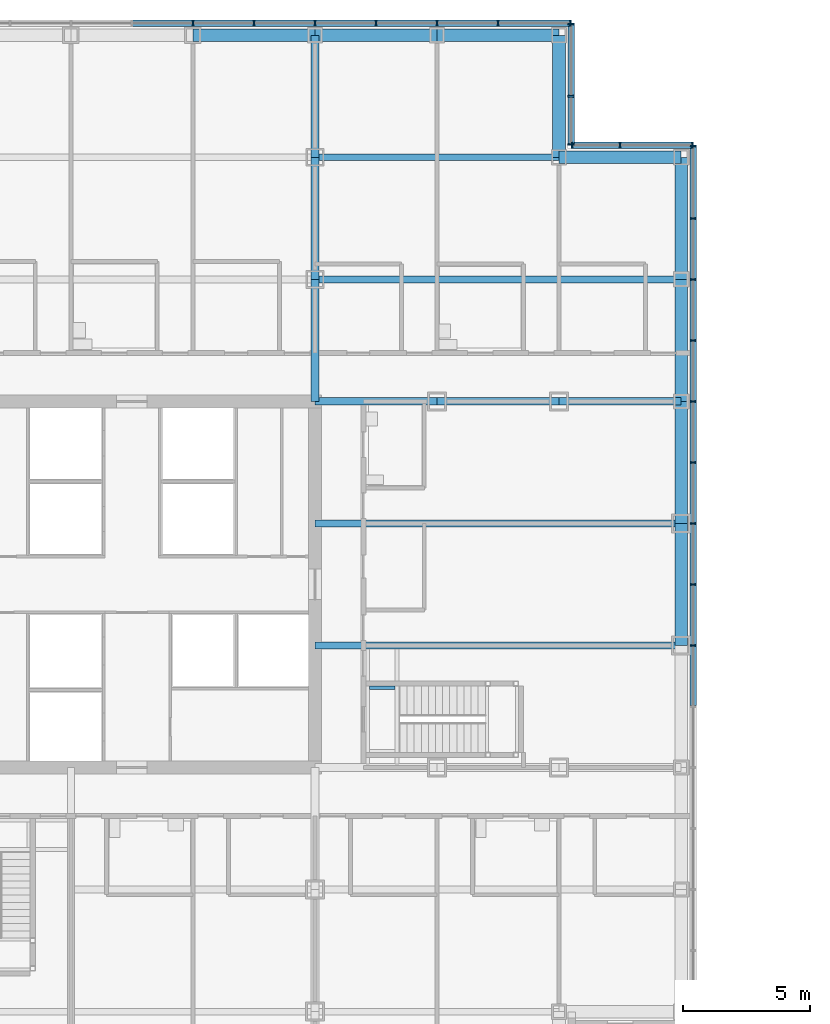
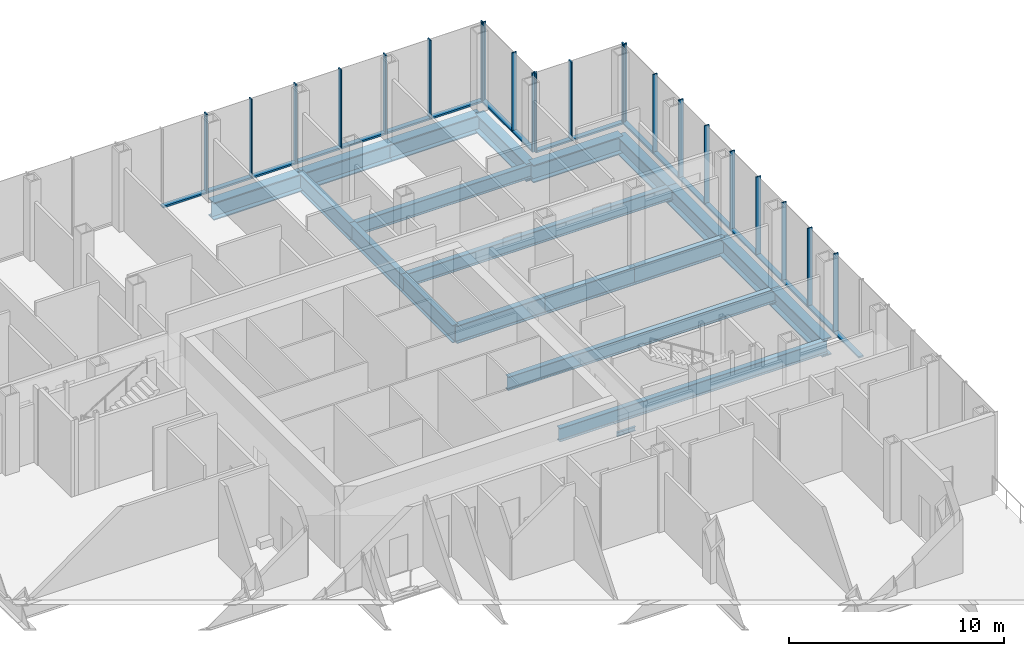
# One storey, part 13 of 24: 42 members, 20 beams, 4 elements without a shape of their own.
"""IFC4 building model written with IfcOpenShell, lengths in metres."""

from ifc_helpers import new_model, si_unit, direction, frame, origin, origin_2d, place, context, subcontext, project, spatial, rectangle, i_section, extrude, material, material_profile, profile_set, type_object, element, aggregate, save


model = new_model("IFC4")

# Units and contexts
model_context = context("Model", 3, precision=1e-05, world=origin(), true_north=direction((0.0, 1.0)))
body_context = subcontext(model_context, "Body", "Model", "MODEL_VIEW")
ifc_project = project(units=[si_unit("LENGTHUNIT", "METRE"), si_unit("AREAUNIT", "SQUARE_METRE"), si_unit("VOLUMEUNIT", "CUBIC_METRE"), si_unit("PLANEANGLEUNIT", "RADIAN"), si_unit("MASSUNIT", "GRAM", prefix="KILO")], contexts=[model_context])

# Site, building, storey
site_placement = place(None, origin())
site = spatial("IfcSite", under=ifc_project, at=site_placement, CompositionType="ELEMENT")
building_placement = place(site_placement, origin())
building = spatial("IfcBuilding", under=site, at=building_placement, Name="Kvirike Care Tower", CompositionType="ELEMENT")
storey_placement = place(building_placement, frame((0.0, 0.0, 22.5)))
storey = spatial("IfcBuildingStorey", under=building, at=storey_placement, Name="L05", CompositionType="ELEMENT", Elevation=22.5)

# Curtain wall, members
ifc_material_1 = material(Name="Anodised aluminium stick system", Category="aluminium")
curtain_wall_type = type_object("IfcCurtainWallType", Name="CW-P PODIUM STICK CURTAIN WALL", PredefinedType="NOTDEFINED", material=ifc_material_1)
curtain_wall_1_placement = place(storey_placement, origin())
curtain_wall_1 = element("IfcCurtainWall", 1, at=curtain_wall_1_placement, inside=storey, type_object=curtain_wall_type, Name="Curtain wall L05 face 7", PredefinedType="NOTDEFINED")
ifc_material_2 = material(Name="Bronze anodised aluminium mullion", Category="aluminium")
ifc_material_profile_1 = material_profile(ifc_material_2, rectangle(XDim=0.06494140625, YDim=0.25, at=origin_2d()), Name="CW-P MULLION 65x250")
ifc_profile_set_1 = profile_set([ifc_material_profile_1], Name="Bronze anodised aluminium mullion")
member_type_1 = type_object("IfcMemberType", Name="CW-P MULLION 65x250", PredefinedType="MULLION", material=ifc_profile_set_1)
member_1_placement = place(storey_placement, frame((43.675048828125, 33.60009765625, 0.0), z_axis=(0.0, 0.0, 1.0), x_axis=(0.0, 1.0, 0.0)))
member_1 = element("IfcMember", 2, at=member_1_placement, type_object=member_type_1, Name="CW-P mullion L05 face 7.7", PredefinedType="MULLION", context=body_context, shape_type="SweptSolid", body=[
    extrude(rectangle(XDim=0.06494140625, YDim=0.25, at=origin_2d()), origin(), (0.0, 0.0, 1.0), 4.5),
])
member_2_placement = place(storey_placement, frame((43.675048828125, 36.0, 0.0), z_axis=(0.0, 0.0, 1.0), x_axis=(0.0, 1.0, 0.0)))
member_2 = element("IfcMember", 3, at=member_2_placement, type_object=member_type_1, Name="CW-P mullion L05 face 7.8", PredefinedType="MULLION", context=body_context, shape_type="SweptSolid", body=[
    extrude(rectangle(XDim=0.06494140625, YDim=0.25, at=origin_2d()), origin(), (0.0, 0.0, 1.0), 4.5),
])
member_3_placement = place(storey_placement, frame((43.675048828125, 38.39990234375, 0.0), z_axis=(0.0, 0.0, 1.0), x_axis=(0.0, 1.0, 0.0)))
member_3 = element("IfcMember", 4, at=member_3_placement, type_object=member_type_1, Name="CW-P mullion L05 face 7.9", PredefinedType="MULLION", context=body_context, shape_type="SweptSolid", body=[
    extrude(rectangle(XDim=0.06494140625, YDim=0.25, at=origin_2d()), origin(), (0.0, 0.0, 1.0), 4.5),
])
member_4_placement = place(storey_placement, frame((43.675048828125, 40.800048828125, 0.0), z_axis=(0.0, 0.0, 1.0), x_axis=(0.0, 1.0, 0.0)))
member_4 = element("IfcMember", 5, at=member_4_placement, type_object=member_type_1, Name="CW-P mullion L05 face 7.10", PredefinedType="MULLION", context=body_context, shape_type="SweptSolid", body=[
    extrude(rectangle(XDim=0.06494140625, YDim=0.25, at=origin_2d()), origin(), (0.0, 0.0, 1.0), 4.5),
])
member_5_placement = place(storey_placement, frame((43.675048828125, 43.199951171875, 0.0), z_axis=(0.0, 0.0, 1.0), x_axis=(0.0, 1.0, 0.0)))
member_5 = element("IfcMember", 6, at=member_5_placement, type_object=member_type_1, Name="CW-P mullion L05 face 7.11", PredefinedType="MULLION", context=body_context, shape_type="SweptSolid", body=[
    extrude(rectangle(XDim=0.06494140625, YDim=0.25, at=origin_2d()), origin(), (0.0, 0.0, 1.0), 4.5),
])
member_6_placement = place(storey_placement, frame((43.675048828125, 45.60009765625, 0.0), z_axis=(0.0, 0.0, 1.0), x_axis=(0.0, 1.0, 0.0)))
member_6 = element("IfcMember", 7, at=member_6_placement, type_object=member_type_1, Name="CW-P mullion L05 face 7.12", PredefinedType="MULLION", context=body_context, shape_type="SweptSolid", body=[
    extrude(rectangle(XDim=0.06494140625, YDim=0.25, at=origin_2d()), origin(), (0.0, 0.0, 1.0), 4.5),
])
member_7_placement = place(storey_placement, frame((43.675048828125, 48.0, 0.0), z_axis=(0.0, 0.0, 1.0), x_axis=(0.0, 1.0, 0.0)))
member_7 = element("IfcMember", 8, at=member_7_placement, type_object=member_type_1, Name="CW-P mullion L05 face 7.13", PredefinedType="MULLION", context=body_context, shape_type="SweptSolid", body=[
    extrude(rectangle(XDim=0.06494140625, YDim=0.25, at=origin_2d()), origin(), (0.0, 0.0, 1.0), 4.5),
])
member_8_placement = place(storey_placement, frame((43.675048828125, 50.39990234375, 0.0), z_axis=(0.0, 0.0, 1.0), x_axis=(0.0, 1.0, 0.0)))
member_8 = element("IfcMember", 9, at=member_8_placement, type_object=member_type_1, Name="CW-P mullion L05 face 7.14", PredefinedType="MULLION", context=body_context, shape_type="SweptSolid", body=[
    extrude(rectangle(XDim=0.06494140625, YDim=0.25, at=origin_2d()), origin(), (0.0, 0.0, 1.0), 4.5),
])
member_9_placement = place(storey_placement, frame((43.675048828125, 53.242431640625, 0.0), z_axis=(0.0, 0.0, 1.0), x_axis=(0.0, 1.0, 0.0)))
member_9 = element("IfcMember", 10, at=member_9_placement, type_object=member_type_1, Name="CW-P mullion L05 face 7.15", PredefinedType="MULLION", context=body_context, shape_type="SweptSolid", body=[
    extrude(rectangle(XDim=0.06494140625, YDim=0.25, at=origin_2d()), origin(), (0.0, 0.0, 1.0), 4.5),
])

curtain_wall_2_placement = place(storey_placement, origin())
curtain_wall_2 = element("IfcCurtainWall", 11, at=curtain_wall_2_placement, inside=storey, type_object=curtain_wall_type, Name="Curtain wall L05 face 8", PredefinedType="NOTDEFINED")
member_10_placement = place(storey_placement, frame((43.642578125, 53.27490234375, 0.0), z_axis=(0.0, 0.0, 1.0), x_axis=(-1.0, 0.0, 0.0)))
member_10 = element("IfcMember", 12, at=member_10_placement, type_object=member_type_1, Name="CW-P mullion L05 face 8.1", PredefinedType="MULLION", context=body_context, shape_type="SweptSolid", body=[
    extrude(rectangle(XDim=0.06494140625, YDim=0.25, at=origin_2d()), origin(), (0.0, 0.0, 1.0), 4.5),
])
member_11_placement = place(storey_placement, frame((40.800048828125, 53.27490234375, 0.0), z_axis=(0.0, 0.0, 1.0), x_axis=(-1.0, 0.0, 0.0)))
member_11 = element("IfcMember", 13, at=member_11_placement, type_object=member_type_1, Name="CW-P mullion L05 face 8.2", PredefinedType="MULLION", context=body_context, shape_type="SweptSolid", body=[
    extrude(rectangle(XDim=0.06494140625, YDim=0.25, at=origin_2d()), origin(), (0.0, 0.0, 1.0), 4.5),
])
member_12_placement = place(storey_placement, frame((38.907470703125, 53.27490234375, 0.0), z_axis=(0.0, 0.0, 1.0), x_axis=(-1.0, 0.0, 0.0)))
member_12 = element("IfcMember", 14, at=member_12_placement, type_object=member_type_1, Name="CW-P mullion L05 face 8.3", PredefinedType="MULLION", context=body_context, shape_type="SweptSolid", body=[
    extrude(rectangle(XDim=0.06494140625, YDim=0.25, at=origin_2d()), origin(), (0.0, 0.0, 1.0), 4.5),
])

curtain_wall_3_placement = place(storey_placement, origin())
curtain_wall_3 = element("IfcCurtainWall", 15, at=curtain_wall_3_placement, inside=storey, type_object=curtain_wall_type, Name="Curtain wall L05 face 9", PredefinedType="NOTDEFINED")
member_13_placement = place(storey_placement, frame((38.875, 53.3076171875, 0.0), z_axis=(0.0, 0.0, 1.0), x_axis=(0.0, 1.0, 0.0)))
member_13 = element("IfcMember", 16, at=member_13_placement, type_object=member_type_1, Name="CW-P mullion L05 face 9.1", PredefinedType="MULLION", context=body_context, shape_type="SweptSolid", body=[
    extrude(rectangle(XDim=0.06494140625, YDim=0.25, at=origin_2d()), origin(), (0.0, 0.0, 1.0), 4.5),
])
member_14_placement = place(storey_placement, frame((38.875, 55.199951171875, 0.0), z_axis=(0.0, 0.0, 1.0), x_axis=(0.0, 1.0, 0.0)))
member_14 = element("IfcMember", 17, at=member_14_placement, type_object=member_type_1, Name="CW-P mullion L05 face 9.2", PredefinedType="MULLION", context=body_context, shape_type="SweptSolid", body=[
    extrude(rectangle(XDim=0.06494140625, YDim=0.25, at=origin_2d()), origin(), (0.0, 0.0, 1.0), 4.5),
])
member_15_placement = place(storey_placement, frame((38.875, 58.04248046875, 0.0), z_axis=(0.0, 0.0, 1.0), x_axis=(0.0, 1.0, 0.0)))
member_15 = element("IfcMember", 18, at=member_15_placement, type_object=member_type_1, Name="CW-P mullion L05 face 9.3", PredefinedType="MULLION", context=body_context, shape_type="SweptSolid", body=[
    extrude(rectangle(XDim=0.06494140625, YDim=0.25, at=origin_2d()), origin(), (0.0, 0.0, 1.0), 4.5),
])

curtain_wall_4_placement = place(storey_placement, origin())
curtain_wall_4 = element("IfcCurtainWall", 19, at=curtain_wall_4_placement, inside=storey, type_object=curtain_wall_type, Name="Curtain wall L05 face 10", PredefinedType="NOTDEFINED")
member_16_placement = place(storey_placement, frame((38.842529296875, 58.074951171875, 0.0), z_axis=(0.0, 0.0, 1.0), x_axis=(-1.0, 0.0, 0.0)))
member_16 = element("IfcMember", 20, at=member_16_placement, type_object=member_type_1, Name="CW-P mullion L05 face 10.1", PredefinedType="MULLION", context=body_context, shape_type="SweptSolid", body=[
    extrude(rectangle(XDim=0.06494140625, YDim=0.25, at=origin_2d()), origin(), (0.0, 0.0, 1.0), 4.5),
])
member_17_placement = place(storey_placement, frame((36.0, 58.074951171875, 0.0), z_axis=(0.0, 0.0, 1.0), x_axis=(-1.0, 0.0, 0.0)))
member_17 = element("IfcMember", 21, at=member_17_placement, type_object=member_type_1, Name="CW-P mullion L05 face 10.2", PredefinedType="MULLION", context=body_context, shape_type="SweptSolid", body=[
    extrude(rectangle(XDim=0.06494140625, YDim=0.25, at=origin_2d()), origin(), (0.0, 0.0, 1.0), 4.5),
])
member_18_placement = place(storey_placement, frame((33.60009765625, 58.074951171875, 0.0), z_axis=(0.0, 0.0, 1.0), x_axis=(-1.0, 0.0, 0.0)))
member_18 = element("IfcMember", 22, at=member_18_placement, type_object=member_type_1, Name="CW-P mullion L05 face 10.3", PredefinedType="MULLION", context=body_context, shape_type="SweptSolid", body=[
    extrude(rectangle(XDim=0.06494140625, YDim=0.25, at=origin_2d()), origin(), (0.0, 0.0, 1.0), 4.5),
])
member_19_placement = place(storey_placement, frame((31.199951171875, 58.074951171875, 0.0), z_axis=(0.0, 0.0, 1.0), x_axis=(-1.0, 0.0, 0.0)))
member_19 = element("IfcMember", 23, at=member_19_placement, type_object=member_type_1, Name="CW-P mullion L05 face 10.4", PredefinedType="MULLION", context=body_context, shape_type="SweptSolid", body=[
    extrude(rectangle(XDim=0.06494140625, YDim=0.25, at=origin_2d()), origin(), (0.0, 0.0, 1.0), 4.5),
])
member_20_placement = place(storey_placement, frame((28.800048828125, 58.074951171875, 0.0), z_axis=(0.0, 0.0, 1.0), x_axis=(-1.0, 0.0, 0.0)))
member_20 = element("IfcMember", 24, at=member_20_placement, type_object=member_type_1, Name="CW-P mullion L05 face 10.5", PredefinedType="MULLION", context=body_context, shape_type="SweptSolid", body=[
    extrude(rectangle(XDim=0.06494140625, YDim=0.25, at=origin_2d()), origin(), (0.0, 0.0, 1.0), 4.5),
])
member_21_placement = place(storey_placement, frame((26.39990234375, 58.074951171875, 0.0), z_axis=(0.0, 0.0, 1.0), x_axis=(-1.0, 0.0, 0.0)))
member_21 = element("IfcMember", 25, at=member_21_placement, type_object=member_type_1, Name="CW-P mullion L05 face 10.6", PredefinedType="MULLION", context=body_context, shape_type="SweptSolid", body=[
    extrude(rectangle(XDim=0.06494140625, YDim=0.25, at=origin_2d()), origin(), (0.0, 0.0, 1.0), 4.5),
])
member_22_placement = place(storey_placement, frame((24.0, 58.074951171875, 0.0), z_axis=(0.0, 0.0, 1.0), x_axis=(-1.0, 0.0, 0.0)))
member_22 = element("IfcMember", 26, at=member_22_placement, type_object=member_type_1, Name="CW-P mullion L05 face 10.7", PredefinedType="MULLION", context=body_context, shape_type="SweptSolid", body=[
    extrude(rectangle(XDim=0.06494140625, YDim=0.25, at=origin_2d()), origin(), (0.0, 0.0, 1.0), 4.5),
])

# Member
ifc_material_3 = material(Name="Bronze anodised aluminium transom", Category="aluminium")
ifc_material_profile_2 = material_profile(ifc_material_3, rectangle(XDim=0.25, YDim=0.10009765625, at=origin_2d()), Name="CW-P TRANSOM 250x100")
ifc_profile_set_2 = profile_set([ifc_material_profile_2], Name="Bronze anodised aluminium transom")
member_type_2 = type_object("IfcMemberType", Name="CW-P TRANSOM 250x100", PredefinedType="USERDEFINED", material=ifc_profile_set_2)
member_23_placement = place(storey_placement, frame((43.675048828125, 31.232421875, 0.050048828125), z_axis=(0.0, 1.0, 0.0), x_axis=(-1.0, 0.0, 0.0)))
member_23 = element("IfcMember", 27, at=member_23_placement, type_object=member_type_2, Name="CW-P sill transom L05 face 7.6", ObjectType="TRANSOM", PredefinedType="USERDEFINED", context=body_context, shape_type="SweptSolid", body=[
    extrude(rectangle(XDim=0.25, YDim=0.10009765625, at=origin_2d()), origin(), (0.0, 0.0, 1.0), 2.3349609375),
])

member_24_placement = place(storey_placement, frame((43.675048828125, 33.632568359375, 0.050048828125), z_axis=(0.0, 1.0, 0.0), x_axis=(-1.0, 0.0, 0.0)))
member_24 = element("IfcMember", 28, at=member_24_placement, type_object=member_type_2, Name="CW-P sill transom L05 face 7.7", ObjectType="TRANSOM", PredefinedType="USERDEFINED", context=body_context, shape_type="SweptSolid", body=[
    extrude(rectangle(XDim=0.25, YDim=0.10009765625, at=origin_2d()), origin(), (0.0, 0.0, 1.0), 2.3349609375),
])

member_25_placement = place(storey_placement, frame((43.675048828125, 36.032470703125, 0.050048828125), z_axis=(0.0, 1.0, 0.0), x_axis=(-1.0, 0.0, 0.0)))
member_25 = element("IfcMember", 29, at=member_25_placement, type_object=member_type_2, Name="CW-P sill transom L05 face 7.8", ObjectType="TRANSOM", PredefinedType="USERDEFINED", context=body_context, shape_type="SweptSolid", body=[
    extrude(rectangle(XDim=0.25, YDim=0.10009765625, at=origin_2d()), origin(), (0.0, 0.0, 1.0), 2.3349609375),
])

member_26_placement = place(storey_placement, frame((43.675048828125, 38.4326171875, 0.050048828125), z_axis=(0.0, 1.0, 0.0), x_axis=(-1.0, 0.0, 0.0)))
member_26 = element("IfcMember", 30, at=member_26_placement, type_object=member_type_2, Name="CW-P sill transom L05 face 7.9", ObjectType="TRANSOM", PredefinedType="USERDEFINED", context=body_context, shape_type="SweptSolid", body=[
    extrude(rectangle(XDim=0.25, YDim=0.10009765625, at=origin_2d()), origin(), (0.0, 0.0, 1.0), 2.3349609375),
])

member_27_placement = place(storey_placement, frame((43.675048828125, 40.83251953125, 0.050048828125), z_axis=(0.0, 1.0, 0.0), x_axis=(-1.0, 0.0, 0.0)))
member_27 = element("IfcMember", 31, at=member_27_placement, type_object=member_type_2, Name="CW-P sill transom L05 face 7.10", ObjectType="TRANSOM", PredefinedType="USERDEFINED", context=body_context, shape_type="SweptSolid", body=[
    extrude(rectangle(XDim=0.25, YDim=0.10009765625, at=origin_2d()), origin(), (0.0, 0.0, 1.0), 2.3349609375),
])

member_28_placement = place(storey_placement, frame((43.675048828125, 43.232421875, 0.050048828125), z_axis=(0.0, 1.0, 0.0), x_axis=(-1.0, 0.0, 0.0)))
member_28 = element("IfcMember", 32, at=member_28_placement, type_object=member_type_2, Name="CW-P sill transom L05 face 7.11", ObjectType="TRANSOM", PredefinedType="USERDEFINED", context=body_context, shape_type="SweptSolid", body=[
    extrude(rectangle(XDim=0.25, YDim=0.10009765625, at=origin_2d()), origin(), (0.0, 0.0, 1.0), 2.3349609375),
])

member_29_placement = place(storey_placement, frame((43.675048828125, 45.632568359375, 0.050048828125), z_axis=(0.0, 1.0, 0.0), x_axis=(-1.0, 0.0, 0.0)))
member_29 = element("IfcMember", 33, at=member_29_placement, type_object=member_type_2, Name="CW-P sill transom L05 face 7.12", ObjectType="TRANSOM", PredefinedType="USERDEFINED", context=body_context, shape_type="SweptSolid", body=[
    extrude(rectangle(XDim=0.25, YDim=0.10009765625, at=origin_2d()), origin(), (0.0, 0.0, 1.0), 2.3349609375),
])

member_30_placement = place(storey_placement, frame((43.675048828125, 48.032470703125, 0.050048828125), z_axis=(0.0, 1.0, 0.0), x_axis=(-1.0, 0.0, 0.0)))
member_30 = element("IfcMember", 34, at=member_30_placement, type_object=member_type_2, Name="CW-P sill transom L05 face 7.13", ObjectType="TRANSOM", PredefinedType="USERDEFINED", context=body_context, shape_type="SweptSolid", body=[
    extrude(rectangle(XDim=0.25, YDim=0.10009765625, at=origin_2d()), origin(), (0.0, 0.0, 1.0), 2.3349609375),
])

member_31_placement = place(storey_placement, frame((43.675048828125, 50.4326171875, 0.050048828125), z_axis=(0.0, 1.0, 0.0), x_axis=(-1.0, 0.0, 0.0)))
member_31 = element("IfcMember", 35, at=member_31_placement, type_object=member_type_2, Name="CW-P sill transom L05 face 7.14", ObjectType="TRANSOM", PredefinedType="USERDEFINED", context=body_context, shape_type="SweptSolid", body=[
    extrude(rectangle(XDim=0.25, YDim=0.10009765625, at=origin_2d()), origin(), (0.0, 0.0, 1.0), 2.77734375),
])

aggregate(curtain_wall_1, [member_1, member_2, member_3, member_4, member_5, member_6, member_7, member_8, member_9, member_23, member_24, member_25, member_26, member_27, member_28, member_29, member_30, member_31])

member_32_placement = place(storey_placement, frame((43.610107421875, 53.27490234375, 0.050048828125), z_axis=(-1.0, 0.0, 0.0), x_axis=(0.0, -1.0, 0.0)))
member_32 = element("IfcMember", 36, at=member_32_placement, type_object=member_type_2, Name="CW-P sill transom L05 face 8.1", ObjectType="TRANSOM", PredefinedType="USERDEFINED", context=body_context, shape_type="SweptSolid", body=[
    extrude(rectangle(XDim=0.25, YDim=0.10009765625, at=origin_2d()), origin(), (0.0, 0.0, 1.0), 2.777587890625),
])

member_33_placement = place(storey_placement, frame((40.767578125, 53.27490234375, 0.050048828125), z_axis=(-1.0, 0.0, 0.0), x_axis=(0.0, -1.0, 0.0)))
member_33 = element("IfcMember", 37, at=member_33_placement, type_object=member_type_2, Name="CW-P sill transom L05 face 8.2", ObjectType="TRANSOM", PredefinedType="USERDEFINED", context=body_context, shape_type="SweptSolid", body=[
    extrude(rectangle(XDim=0.25, YDim=0.10009765625, at=origin_2d()), origin(), (0.0, 0.0, 1.0), 1.82763671875),
])

aggregate(curtain_wall_2, [member_10, member_11, member_12, member_32, member_33])

member_34_placement = place(storey_placement, frame((38.875, 53.340087890625, 0.050048828125), z_axis=(0.0, 1.0, 0.0), x_axis=(-1.0, 0.0, 0.0)))
member_34 = element("IfcMember", 38, at=member_34_placement, type_object=member_type_2, Name="CW-P sill transom L05 face 9.1", ObjectType="TRANSOM", PredefinedType="USERDEFINED", context=body_context, shape_type="SweptSolid", body=[
    extrude(rectangle(XDim=0.25, YDim=0.10009765625, at=origin_2d()), origin(), (0.0, 0.0, 1.0), 1.827392578125),
])

member_35_placement = place(storey_placement, frame((38.875, 55.232421875, 0.050048828125), z_axis=(0.0, 1.0, 0.0), x_axis=(-1.0, 0.0, 0.0)))
member_35 = element("IfcMember", 39, at=member_35_placement, type_object=member_type_2, Name="CW-P sill transom L05 face 9.2", ObjectType="TRANSOM", PredefinedType="USERDEFINED", context=body_context, shape_type="SweptSolid", body=[
    extrude(rectangle(XDim=0.25, YDim=0.10009765625, at=origin_2d()), origin(), (0.0, 0.0, 1.0), 2.777587890625),
])

aggregate(curtain_wall_3, [member_13, member_14, member_15, member_34, member_35])

member_36_placement = place(storey_placement, frame((38.81005859375, 58.074951171875, 0.050048828125), z_axis=(-1.0, 0.0, 0.0), x_axis=(0.0, -1.0, 0.0)))
member_36 = element("IfcMember", 40, at=member_36_placement, type_object=member_type_2, Name="CW-P sill transom L05 face 10.1", ObjectType="TRANSOM", PredefinedType="USERDEFINED", context=body_context, shape_type="SweptSolid", body=[
    extrude(rectangle(XDim=0.25, YDim=0.10009765625, at=origin_2d()), origin(), (0.0, 0.0, 1.0), 2.777587890625),
])

member_37_placement = place(storey_placement, frame((35.967529296875, 58.074951171875, 0.050048828125), z_axis=(-1.0, 0.0, 0.0), x_axis=(0.0, -1.0, 0.0)))
member_37 = element("IfcMember", 41, at=member_37_placement, type_object=member_type_2, Name="CW-P sill transom L05 face 10.2", ObjectType="TRANSOM", PredefinedType="USERDEFINED", context=body_context, shape_type="SweptSolid", body=[
    extrude(rectangle(XDim=0.25, YDim=0.10009765625, at=origin_2d()), origin(), (0.0, 0.0, 1.0), 2.3349609375),
])

member_38_placement = place(storey_placement, frame((33.5673828125, 58.074951171875, 0.050048828125), z_axis=(-1.0, 0.0, 0.0), x_axis=(0.0, -1.0, 0.0)))
member_38 = element("IfcMember", 42, at=member_38_placement, type_object=member_type_2, Name="CW-P sill transom L05 face 10.3", ObjectType="TRANSOM", PredefinedType="USERDEFINED", context=body_context, shape_type="SweptSolid", body=[
    extrude(rectangle(XDim=0.25, YDim=0.10009765625, at=origin_2d()), origin(), (0.0, 0.0, 1.0), 2.3349609375),
])

member_39_placement = place(storey_placement, frame((31.16748046875, 58.074951171875, 0.050048828125), z_axis=(-1.0, 0.0, 0.0), x_axis=(0.0, -1.0, 0.0)))
member_39 = element("IfcMember", 43, at=member_39_placement, type_object=member_type_2, Name="CW-P sill transom L05 face 10.4", ObjectType="TRANSOM", PredefinedType="USERDEFINED", context=body_context, shape_type="SweptSolid", body=[
    extrude(rectangle(XDim=0.25, YDim=0.10009765625, at=origin_2d()), origin(), (0.0, 0.0, 1.0), 2.3349609375),
])

member_40_placement = place(storey_placement, frame((28.767578125, 58.074951171875, 0.050048828125), z_axis=(-1.0, 0.0, 0.0), x_axis=(0.0, -1.0, 0.0)))
member_40 = element("IfcMember", 44, at=member_40_placement, type_object=member_type_2, Name="CW-P sill transom L05 face 10.5", ObjectType="TRANSOM", PredefinedType="USERDEFINED", context=body_context, shape_type="SweptSolid", body=[
    extrude(rectangle(XDim=0.25, YDim=0.10009765625, at=origin_2d()), origin(), (0.0, 0.0, 1.0), 2.3349609375),
])

member_41_placement = place(storey_placement, frame((26.367431640625, 58.074951171875, 0.050048828125), z_axis=(-1.0, 0.0, 0.0), x_axis=(0.0, -1.0, 0.0)))
member_41 = element("IfcMember", 45, at=member_41_placement, type_object=member_type_2, Name="CW-P sill transom L05 face 10.6", ObjectType="TRANSOM", PredefinedType="USERDEFINED", context=body_context, shape_type="SweptSolid", body=[
    extrude(rectangle(XDim=0.25, YDim=0.10009765625, at=origin_2d()), origin(), (0.0, 0.0, 1.0), 2.3349609375),
])

member_42_placement = place(storey_placement, frame((23.967529296875, 58.074951171875, 0.050048828125), z_axis=(-1.0, 0.0, 0.0), x_axis=(0.0, -1.0, 0.0)))
member_42 = element("IfcMember", 46, at=member_42_placement, type_object=member_type_2, Name="CW-P sill transom L05 face 10.7", ObjectType="TRANSOM", PredefinedType="USERDEFINED", context=body_context, shape_type="SweptSolid", body=[
    extrude(rectangle(XDim=0.25, YDim=0.10009765625, at=origin_2d()), origin(), (0.0, 0.0, 1.0), 2.3349609375),
])

aggregate(curtain_wall_4, [member_16, member_17, member_18, member_19, member_20, member_21, member_22, member_36, member_37, member_38, member_39, member_40, member_41, member_42])

# Beams
ifc_material_4 = material(Name="Steel S355", Category="steel")
ifc_material_profile_3 = material_profile(ifc_material_4, i_section(OverallWidth=0.26806640625, OverallDepth=0.77001953125, WebThickness=0.015625, FlangeThickness=0.025390625, FilletRadius=0.01708984375, at=origin_2d()), Name="IPE 750x196")
ifc_profile_set_3 = profile_set([ifc_material_profile_3], Name="Steel S355")
beam_type_1 = type_object("IfcBeamType", Name="FLOOR BEAM IPE 750x196", PredefinedType="BEAM", material=ifc_profile_set_3)
for number, where, z_axis, x_axis, name in (
    (47, (28.800048828125, 33.60009765625, -0.554931640625), (1.0, 0.0, 0.0), (0.0, 1.0, 0.0), "Floor Beam H9-H12 L05"),
    (48, (28.800048828125, 38.39990234375, -0.554931640625), (1.0, 0.0, 0.0), (0.0, 1.0, 0.0), "Floor Beam J9-J12 L05"),
    (49, (28.800048828125, 48.0, -0.554931640625), (1.0, 0.0, 0.0), (0.0, 1.0, 0.0), "Floor Beam L9-L12 L05"),
):
    element("IfcBeam", number, at=place(storey_placement, frame(where, z_axis=z_axis, x_axis=x_axis)), inside=storey, type_object=beam_type_1, Name=name, PredefinedType="BEAM", context=body_context, shape_type="SweptSolid", body=[
        extrude(i_section(OverallWidth=0.26806640625, OverallDepth=0.77001953125, WebThickness=0.015625, FlangeThickness=0.025390625, FilletRadius=0.01708984375, at=origin_2d()), origin(), (0.0, 0.0, 1.0), 14.39990234375),
    ])
beam_1_placement = place(storey_placement, frame((28.800048828125, 52.800048828125, -0.554931640625), z_axis=(1.0, 0.0, 0.0), x_axis=(0.0, 1.0, 0.0)))
element("IfcBeam", 50, at=beam_1_placement, inside=storey, type_object=beam_type_1, Name="Floor Beam M9-M11 L05", PredefinedType="BEAM", context=body_context, shape_type="SweptSolid", body=[
    extrude(i_section(OverallWidth=0.26806640625, OverallDepth=0.77001953125, WebThickness=0.015625, FlangeThickness=0.025390625, FilletRadius=0.01708984375, at=origin_2d()), origin(), (0.0, 0.0, 1.0), 9.599853515625),
])
ifc_material_5 = material(Name="Steel S355", Category="steel")
ifc_material_profile_4 = material_profile(ifc_material_5, i_section(OverallWidth=0.300048828125, OverallDepth=1.0, WebThickness=0.01904296875, FlangeThickness=0.035888671875, FilletRadius=0.030029296875, at=origin_2d()), Name="HE 1000 B")
ifc_profile_set_4 = profile_set([ifc_material_profile_4], Name="Steel S355")
beam_type_2 = type_object("IfcBeamType", Name="FRAME BEAM HE 1000 B", PredefinedType="BEAM", material=ifc_profile_set_4)
beam_2_placement = place(storey_placement, frame((28.800048828125, 43.199951171875, -0.669921875), z_axis=(1.0, 0.0, 0.0), x_axis=(0.0, 1.0, 0.0)))
element("IfcBeam", 51, at=beam_2_placement, inside=storey, type_object=beam_type_2, Name="Frame Beam K9-K10 L05", PredefinedType="BEAM", context=body_context, shape_type="SweptSolid", body=[
    extrude(i_section(OverallWidth=0.300048828125, OverallDepth=1.0, WebThickness=0.01904296875, FlangeThickness=0.035888671875, FilletRadius=0.030029296875, at=origin_2d()), origin(), (0.0, 0.0, 1.0), 4.800048828125),
])
beam_3_placement = place(storey_placement, frame((33.60009765625, 43.199951171875, -0.669921875), z_axis=(1.0, 0.0, 0.0), x_axis=(0.0, 1.0, 0.0)))
element("IfcBeam", 52, at=beam_3_placement, inside=storey, type_object=beam_type_2, Name="Frame Beam K10-K11 L05", PredefinedType="BEAM", context=body_context, shape_type="SweptSolid", body=[
    extrude(i_section(OverallWidth=0.300048828125, OverallDepth=1.0, WebThickness=0.01904296875, FlangeThickness=0.035888671875, FilletRadius=0.030029296875, at=origin_2d()), origin(), (0.0, 0.0, 1.0), 4.7998046875),
])
for number, where, z_axis, x_axis, name in (
    (53, (38.39990234375, 43.199951171875, -0.669921875), (1.0, 0.0, 0.0), (0.0, 1.0, 0.0), "Frame Beam K11-K12 L05"),
    (54, (28.800048828125, 43.199951171875, -0.669921875), (0.0, 1.0, 0.0), (-1.0, 0.0, 0.0), "Frame Beam K9-L9 L05"),
    (55, (28.800048828125, 48.0, -0.669921875), (0.0, 1.0, 0.0), (-1.0, 0.0, 0.0), "Frame Beam L9-M9 L05"),
    (56, (28.800048828125, 52.800048828125, -0.669921875), (0.0, 1.0, 0.0), (-1.0, 0.0, 0.0), "Frame Beam M9-N9 L05"),
):
    element("IfcBeam", number, at=place(storey_placement, frame(where, z_axis=z_axis, x_axis=x_axis)), inside=storey, type_object=beam_type_2, Name=name, PredefinedType="BEAM", context=body_context, shape_type="SweptSolid", body=[
        extrude(i_section(OverallWidth=0.300048828125, OverallDepth=1.0, WebThickness=0.01904296875, FlangeThickness=0.035888671875, FilletRadius=0.030029296875, at=origin_2d()), origin(), (0.0, 0.0, 1.0), 4.800048828125),
    ])
ifc_material_6 = material(Name="Steel S355", Category="steel")
ifc_material_profile_5 = material_profile(ifc_material_6, i_section(OverallWidth=0.5, OverallDepth=1.0, WebThickness=0.030029296875, FlangeThickness=0.06005859375, at=origin_2d()), Name="PG 1000x500x30x60")
ifc_profile_set_5 = profile_set([ifc_material_profile_5], Name="Steel S355")
beam_type_3 = type_object("IfcBeamType", Name="SPANDREL PG 1000x500x30x60", PredefinedType="SPANDREL", material=ifc_profile_set_5)
for number, where, z_axis, x_axis, name in (
    (57, (38.39990234375, 52.800048828125, -0.669921875), (1.0, 0.0, 0.0), (0.0, 1.0, 0.0), "Spandrel M11-M12 L05"),
    (58, (24.0, 57.60009765625, -0.669921875), (1.0, 0.0, 0.0), (0.0, 1.0, 0.0), "Spandrel N8-N9 L05"),
    (59, (28.800048828125, 57.60009765625, -0.669921875), (1.0, 0.0, 0.0), (0.0, 1.0, 0.0), "Spandrel N9-N10 L05"),
):
    element("IfcBeam", number, at=place(storey_placement, frame(where, z_axis=z_axis, x_axis=x_axis)), inside=storey, type_object=beam_type_3, Name=name, PredefinedType="SPANDREL", context=body_context, shape_type="SweptSolid", body=[
        extrude(i_section(OverallWidth=0.5, OverallDepth=1.0, WebThickness=0.030029296875, FlangeThickness=0.06005859375, at=origin_2d()), origin(), (0.0, 0.0, 1.0), 4.800048828125),
    ])
beam_4_placement = place(storey_placement, frame((33.60009765625, 57.60009765625, -0.669921875), z_axis=(1.0, 0.0, 0.0), x_axis=(0.0, 1.0, 0.0)))
element("IfcBeam", 60, at=beam_4_placement, inside=storey, type_object=beam_type_3, Name="Spandrel N10-N11 L05", PredefinedType="SPANDREL", context=body_context, shape_type="SweptSolid", body=[
    extrude(i_section(OverallWidth=0.5, OverallDepth=1.0, WebThickness=0.030029296875, FlangeThickness=0.06005859375, at=origin_2d()), origin(), (0.0, 0.0, 1.0), 4.7998046875),
])
beam_5_placement = place(storey_placement, frame((38.39990234375, 52.800048828125, -0.669921875), z_axis=(0.0, 1.0, 0.0), x_axis=(-1.0, 0.0, 0.0)))
element("IfcBeam", 61, at=beam_5_placement, inside=storey, type_object=beam_type_3, Name="Spandrel M11-N11 L05", PredefinedType="SPANDREL", context=body_context, shape_type="SweptSolid", body=[
    extrude(i_section(OverallWidth=0.5, OverallDepth=1.0, WebThickness=0.030029296875, FlangeThickness=0.06005859375, at=origin_2d()), origin(), (0.0, 0.0, 1.0), 4.800048828125),
])
beam_6_placement = place(storey_placement, frame((43.199951171875, 33.60009765625, -0.669921875), z_axis=(0.0, 1.0, 0.0), x_axis=(-1.0, 0.0, 0.0)))
element("IfcBeam", 62, at=beam_6_placement, inside=storey, type_object=beam_type_3, Name="Spandrel H12-J12 L05", PredefinedType="SPANDREL", context=body_context, shape_type="SweptSolid", body=[
    extrude(i_section(OverallWidth=0.5, OverallDepth=1.0, WebThickness=0.030029296875, FlangeThickness=0.06005859375, at=origin_2d()), origin(), (0.0, 0.0, 1.0), 4.7998046875),
])
for number, where, z_axis, x_axis, name in (
    (63, (43.199951171875, 38.39990234375, -0.669921875), (0.0, 1.0, 0.0), (-1.0, 0.0, 0.0), "Spandrel J12-K12 L05"),
    (64, (43.199951171875, 43.199951171875, -0.669921875), (0.0, 1.0, 0.0), (-1.0, 0.0, 0.0), "Spandrel K12-L12 L05"),
    (65, (43.199951171875, 48.0, -0.669921875), (0.0, 1.0, 0.0), (-1.0, 0.0, 0.0), "Spandrel L12-M12 L05"),
):
    element("IfcBeam", number, at=place(storey_placement, frame(where, z_axis=z_axis, x_axis=x_axis)), inside=storey, type_object=beam_type_3, Name=name, PredefinedType="SPANDREL", context=body_context, shape_type="SweptSolid", body=[
        extrude(i_section(OverallWidth=0.5, OverallDepth=1.0, WebThickness=0.030029296875, FlangeThickness=0.06005859375, at=origin_2d()), origin(), (0.0, 0.0, 1.0), 4.800048828125),
    ])
ifc_material_7 = material(Name="Steel S355", Category="steel")
ifc_material_profile_6 = material_profile(ifc_material_7, i_section(OverallWidth=0.1201171875, OverallDepth=0.239990234375, WebThickness=0.006103515625, FlangeThickness=0.009765625, FilletRadius=0.014892578125, at=origin_2d()), Name="IPE 240")
ifc_profile_set_6 = profile_set([ifc_material_profile_6], Name="Steel S355")
beam_type_4 = type_object("IfcBeamType", Name="STAIR LANDING BEAM IPE 240", PredefinedType="BEAM", material=ifc_profile_set_6)
beam_7_placement = place(storey_placement, frame((31.949951171875, 31.93994140625, -0.320068359375), z_axis=(-1.0, 0.0, 0.0), x_axis=(0.0, -1.0, 0.0)))
element("IfcBeam", 66, at=beam_7_placement, inside=storey, type_object=beam_type_4, Name="Stair 2 landing edge beam 2 L05", PredefinedType="BEAM", context=body_context, shape_type="SweptSolid", body=[
    extrude(i_section(OverallWidth=0.1201171875, OverallDepth=0.239990234375, WebThickness=0.006103515625, FlangeThickness=0.009765625, FilletRadius=0.014892578125, at=origin_2d()), origin(), (0.0, 0.0, 1.0), 1.0),
])

save(model, "model.ifc")
